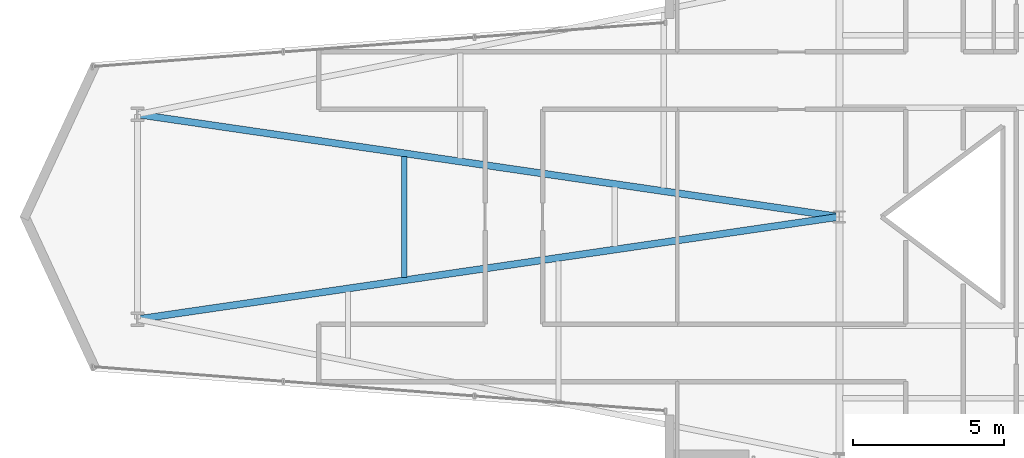
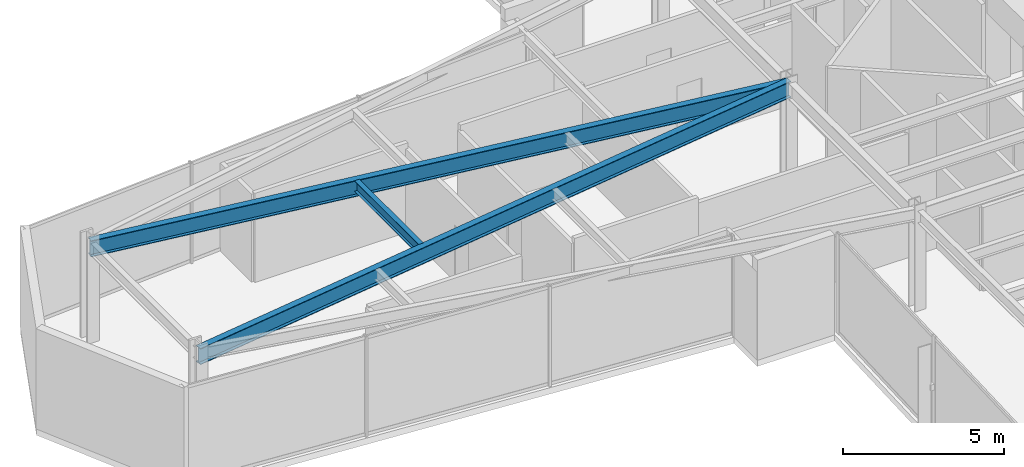
# One storey, part 7 of 29: 3 beams.
"""IFC4 building model written with IfcOpenShell, lengths in metres."""

from ifc_helpers import new_model, si_unit, direction, frame, origin, origin_2d, place, context, subcontext, project, spatial, i_section, extrude, material, material_profile, profile_set, type_object, element, save


model = new_model("IFC4")

# Units and contexts
model_context = context("Model", 3, precision=1e-05, world=origin(), true_north=direction((0.0, 1.0)))
body_context = subcontext(model_context, "Body", "Model", "MODEL_VIEW")
ifc_project = project(units=[si_unit("LENGTHUNIT", "METRE"), si_unit("AREAUNIT", "SQUARE_METRE"), si_unit("VOLUMEUNIT", "CUBIC_METRE"), si_unit("PLANEANGLEUNIT", "RADIAN"), si_unit("MASSUNIT", "GRAM", prefix="KILO")], contexts=[model_context])

# Site, building, storey
site_placement = place(None, origin())
site = spatial("IfcSite", under=ifc_project, at=site_placement, CompositionType="ELEMENT")
building_placement = place(site_placement, origin())
building = spatial("IfcBuilding", under=site, at=building_placement, Name="Veymaron Broadcast Tower", CompositionType="ELEMENT")
storey_placement = place(building_placement, frame((0.0, 0.0, 41.85009765625)))
storey = spatial("IfcBuildingStorey", under=building, at=storey_placement, Name="L08", CompositionType="ELEMENT", Elevation=41.85009765625)

# Beams
ifc_material = material(Name="Structural steel ASTM A992 Gr 50", Category="steel")
ifc_material_profile_1 = material_profile(ifc_material, i_section(OverallWidth=0.22998046875, OverallDepth=0.616943359375, WebThickness=0.01318359375, FlangeThickness=0.022216796875, at=origin_2d()), Name="W610X140")
ifc_profile_set_1 = profile_set([ifc_material_profile_1], Name="Structural steel ASTM A992 Gr 50")
beam_type_1 = type_object("IfcBeamType", Name="BM-FG1", PredefinedType="BEAM", material=ifc_profile_set_1)
for number, where, z_axis, x_axis, name in (
    (1, (8.007080078125, 20.614990234375, 3.50146484375), (0.989516427304, 0.144420359003, 0.0), (-0.144420359003, 0.989516427304, 0.0), "L08 primary structural floor girder"),
    (2, (8.007080078125, 27.385009765625, 3.50146484375), (0.989516427304, -0.144420359003, 0.0), (0.144420359003, 0.989516427304, 0.0), "L08 primary structural floor girder"),
):
    element("IfcBeam", number, at=place(storey_placement, frame(where, z_axis=z_axis, x_axis=x_axis)), inside=storey, type_object=beam_type_1, Name=name, PredefinedType="BEAM", context=body_context, shape_type="SweptSolid", body=[
        extrude(i_section(OverallWidth=0.22998046875, OverallDepth=0.616943359375, WebThickness=0.01318359375, FlangeThickness=0.022216796875, at=origin_2d()), origin(), (0.0, 0.0, 1.0), 23.4384765625),
    ])
ifc_material_profile_2 = material_profile(ifc_material, i_section(OverallWidth=0.177978515625, OverallDepth=0.406982421875, WebThickness=0.0078125, FlangeThickness=0.0126953125, at=origin_2d()), Name="W410X60")
ifc_profile_set_2 = profile_set([ifc_material_profile_2], Name="Structural steel ASTM A992 Gr 50")
beam_type_2 = type_object("IfcBeamType", Name="BM-JS1", PredefinedType="JOIST", material=ifc_profile_set_2)
beam_placement = place(storey_placement, frame((16.8203125, 22.001220703125, 3.6064453125), z_axis=(0.0, 1.0, 0.0), x_axis=(-1.0, 0.0, 0.0)))
element("IfcBeam", 3, at=beam_placement, inside=storey, type_object=beam_type_2, Name="L08 Arm-A secondary joist 1M", PredefinedType="JOIST", context=body_context, shape_type="SweptSolid", body=[
    extrude(i_section(OverallWidth=0.177978515625, OverallDepth=0.406982421875, WebThickness=0.0078125, FlangeThickness=0.0126953125, at=origin_2d()), origin(), (0.0, 0.0, 1.0), 3.99755859375),
])

save(model, "model.ifc")
